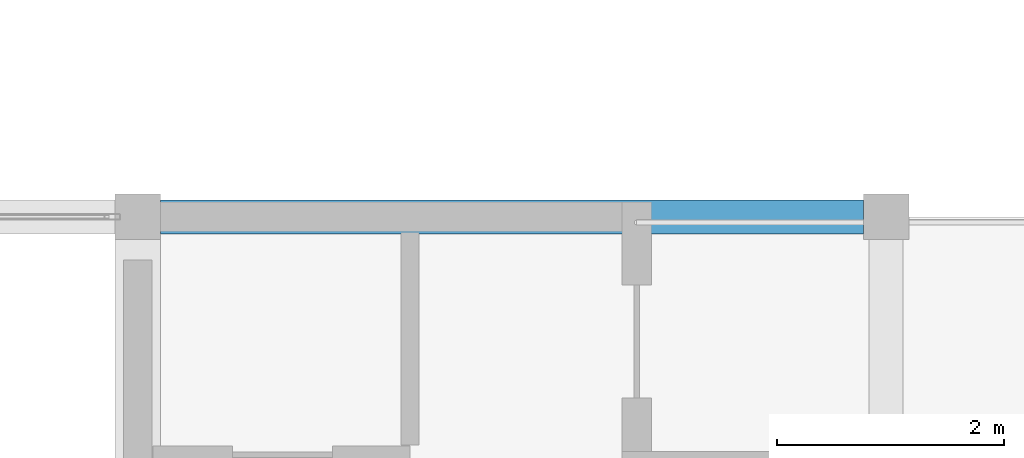
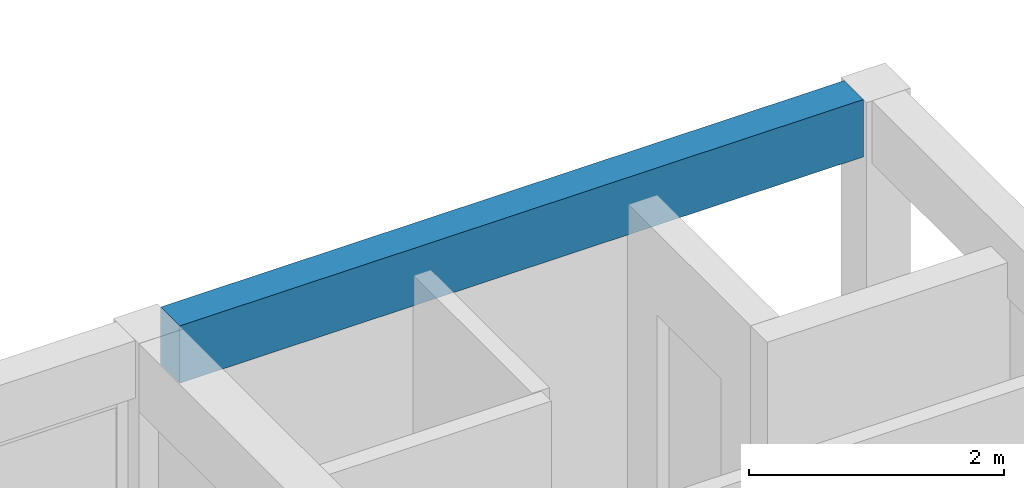
# One storey, part 8 of 34: 1 beam.
"""IFC4 building model written with IfcOpenShell, lengths in metres."""

from ifc_helpers import new_model, si_unit, direction, frame, origin, origin_2d, place, context, subcontext, project, spatial, rectangle, extrude, material, material_profile, profile_set, type_object, element, save


model = new_model("IFC4")

# Units and contexts
model_context = context("Model", 3, precision=1e-05, world=origin(), true_north=direction((0.0, 1.0)))
body_context = subcontext(model_context, "Body", "Model", "MODEL_VIEW")
ifc_project = project(units=[si_unit("LENGTHUNIT", "METRE"), si_unit("AREAUNIT", "SQUARE_METRE"), si_unit("VOLUMEUNIT", "CUBIC_METRE"), si_unit("PLANEANGLEUNIT", "RADIAN"), si_unit("MASSUNIT", "GRAM", prefix="KILO")], contexts=[model_context])

# Site, building, storey
site_placement = place(None, origin())
site = spatial("IfcSite", under=ifc_project, at=site_placement, CompositionType="ELEMENT")
building_placement = place(site_placement, origin())
building = spatial("IfcBuilding", under=site, at=building_placement, Name="Kernevlak Ridge Housing Community", CompositionType="ELEMENT")
storey_placement = place(building_placement, frame((0.0, 0.0, 40.39990234375)))
storey = spatial("IfcBuildingStorey", under=building, at=storey_placement, Name="L12", CompositionType="ELEMENT", Elevation=40.39990234375)

# Beam
ifc_material = material(Name="Concrete C35/45", Category="concrete")
ifc_material_profile = material_profile(ifc_material, rectangle(XDim=0.300048828125, YDim=0.550048828125, at=origin_2d()), Name="RC 300x550")
ifc_profile_set = profile_set([ifc_material_profile], Name="Concrete C35/45")
beam_type = type_object("IfcBeamType", Name="SP-01", PredefinedType="SPANDREL", material=ifc_profile_set)
beam_placement = place(storey_placement, frame((139.39990234375, 35.39990234375, 2.925048828125), z_axis=(1.0, 0.0, 0.0), x_axis=(0.0, 1.0, 0.0)))
element("IfcBeam", 1, at=beam_placement, inside=storey, type_object=beam_type, Name="Beam SP-01 L12 1278", PredefinedType="SPANDREL", context=body_context, shape_type="SweptSolid", body=[
    extrude(rectangle(XDim=0.300048828125, YDim=0.550048828125, at=origin_2d()), origin(), (0.0, 0.0, 1.0), 6.2001953125),
])

save(model, "model.ifc")
